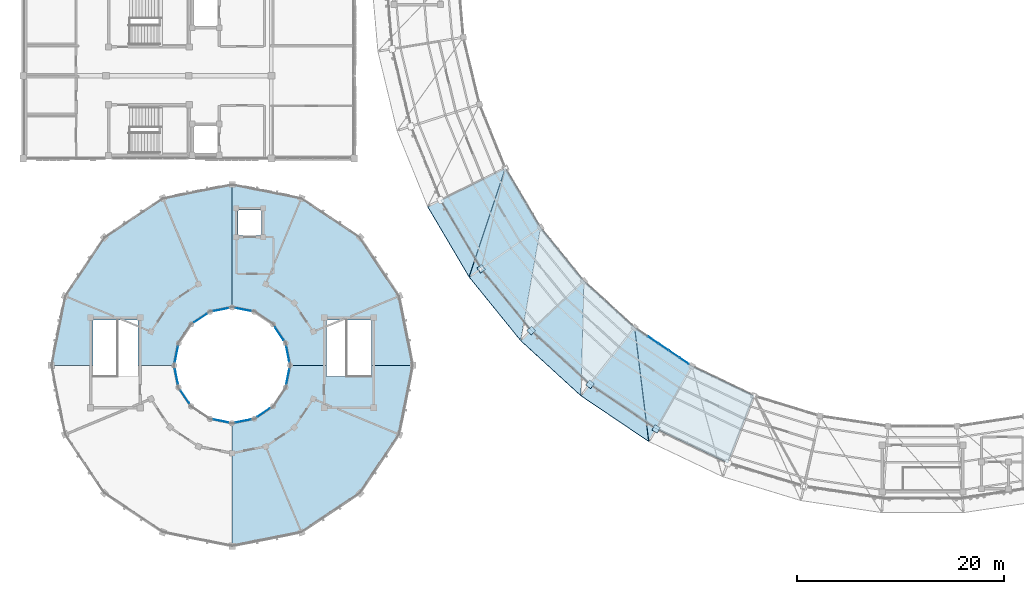
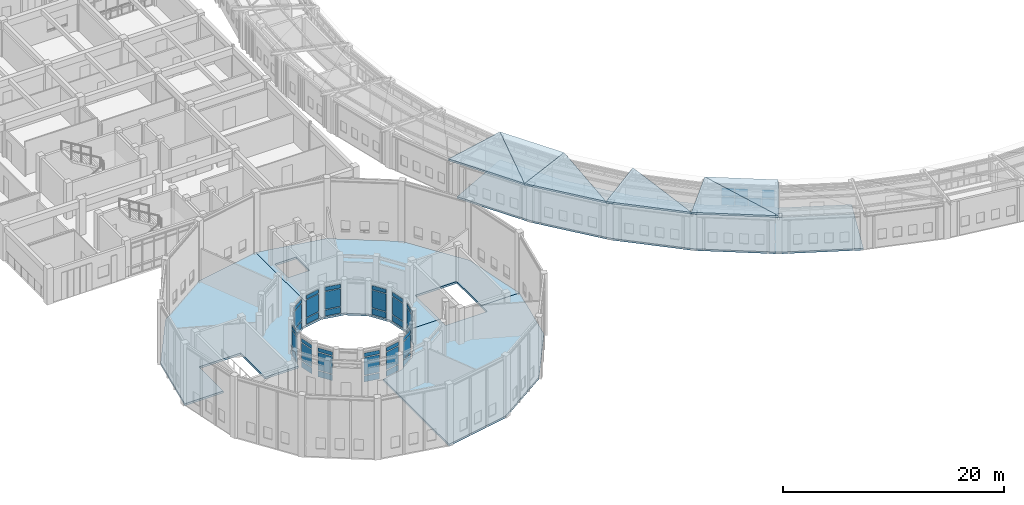
# One storey, part 100 of 149: 47 plates, 10 slabs, 13 elements without a shape of their own.
"""IFC4 building model written with IfcOpenShell, lengths in metres."""

import ifcopenshell
import ifcopenshell.guid

model = None  # the IFC model being written
_history = None  # IfcOwnerHistory: only IFC2X3 demands one
_inside = {}  # id of a spatial element -> (the spatial element, [elements in it])
_under = {}  # id of a project, library or spatial element -> (it, [spatial elements below it])
_declared = {}  # id of a project -> (the project, [libraries it declares])
_typed = {}  # id of a type object -> (the type object, [elements of that type])
_made_of = {}  # id of a material, layer set ... -> (it, [elements and type objects made of it])


def new_model(schema):
    """Start an empty IFC model of exactly this schema.

    Asked for "IFC4X3", IfcOpenShell would pick the latest addendum, in which some entities
    have other attributes; the version numbers below select the first issue.
    IFC2X3 requires an IfcOwnerHistory on every rooted entity: one is made here for all.
    """
    global model, _history
    if schema == "IFC4X3":
        model = ifcopenshell.file(schema_version=(4, 3, 0, 0))
    else:
        model = ifcopenshell.file(schema=schema)
    _inside.clear()
    _under.clear()
    _declared.clear()
    _typed.clear()
    _made_of.clear()
    _history = None
    if model.schema == "IFC2X3":
        org = make("IfcOrganization", Name="unknown")
        user = make(
            "IfcPersonAndOrganization",
            ThePerson=make("IfcPerson", FamilyName="unknown"),
            TheOrganization=org,
        )
        app = make(
            "IfcApplication",
            ApplicationDeveloper=org,
            Version="unknown",
            ApplicationFullName="unknown",
            ApplicationIdentifier="unknown",
        )
        _history = make(
            "IfcOwnerHistory",
            OwningUser=user,
            OwningApplication=app,
            ChangeAction="ADDED",
            CreationDate=0,
        )
    return model


def make(cls, **values):
    """One entity of the class cls with the attributes given. An attribute that is None is left unset."""
    return model.create_entity(
        cls, **{name: value for name, value in values.items() if value is not None}
    )


def rooted(cls, **values):
    """An entity with a GlobalId (a new one), such as an element, a storey or a relation."""
    return make(cls, GlobalId=ifcopenshell.guid.new(), OwnerHistory=_history, **values)


def si_unit(unit_type, name, prefix=None):
    """IfcSIUnit, for example si_unit("LENGTHUNIT", "METRE", prefix="MILLI")."""
    return make("IfcSIUnit", UnitType=unit_type, Prefix=prefix, Name=name)


def assignment(units):
    """IfcUnitAssignment: the units of a project."""
    return None if units is None else make("IfcUnitAssignment", Units=units)


def point(xyz):
    """IfcCartesianPoint."""
    return None if xyz is None else make("IfcCartesianPoint", Coordinates=xyz)


def direction(xyz):
    """IfcDirection."""
    return None if xyz is None else make("IfcDirection", DirectionRatios=xyz)


def frame(location, z_axis=None, x_axis=None):
    """IfcAxis2Placement3D, a coordinate frame: its origin and axes. An axis left out is left unset."""
    return make(
        "IfcAxis2Placement3D",
        Location=point(location),
        Axis=direction(z_axis),
        RefDirection=direction(x_axis),
    )


def frame_2d(location, x_axis=None):
    """IfcAxis2Placement2D, a coordinate frame in the plane: its origin and x axis."""
    return make(
        "IfcAxis2Placement2D", Location=point(location), RefDirection=direction(x_axis)
    )


def origin():
    """The frame at (0, 0, 0) with its axes left unset."""
    return frame((0.0, 0.0, 0.0))


def origin_2d():
    """The frame at (0, 0) in the plane with its x axis left unset."""
    return frame_2d((0.0, 0.0))


def place(relative_to, where):
    """IfcLocalPlacement: puts the frame where relative to a parent placement (None: the world)."""
    return make(
        "IfcLocalPlacement", PlacementRelTo=relative_to, RelativePlacement=where
    )


def context(
    kind, dimensions, precision=None, world=None, true_north=None, identifier=None
):
    """IfcGeometricRepresentationContext, for example the 3D "Model" context."""
    return make(
        "IfcGeometricRepresentationContext",
        ContextIdentifier=identifier,
        ContextType=kind,
        CoordinateSpaceDimension=dimensions,
        Precision=precision,
        WorldCoordinateSystem=world,
        TrueNorth=true_north,
    )


def subcontext(parent, identifier, kind, view, scale=None):
    """IfcGeometricRepresentationSubContext, for example "Body" below "Model"."""
    return make(
        "IfcGeometricRepresentationSubContext",
        ContextIdentifier=identifier,
        ContextType=kind,
        ParentContext=parent,
        TargetScale=scale,
        TargetView=view,
    )


def project(units=None, contexts=None):
    """IfcProject with its units and contexts."""
    return rooted(
        "IfcProject",
        Name="project",
        RepresentationContexts=contexts,
        UnitsInContext=assignment(units),
    )


def spatial(cls, under=None, at=None, **own):
    """A site, building, storey or space (cls), placed at a placement, below another one or the project."""
    s = rooted(cls, ObjectPlacement=at, **own)
    if under is not None:
        _under.setdefault(under.id(), (under, []))[1].append(s)
    return s


def polyline(points):
    """IfcPolyline through the points."""
    return make("IfcPolyline", Points=[point(p) for p in points])


def profile(cls, at=None, kind="AREA", **sizes):
    """A parametric profile (cls). Its sizes go by their IFC names, for example OverallWidth=200.0."""
    return make(cls, ProfileType=kind, Position=at, **sizes)


def rectangle(**sizes):
    """IfcRectangleProfileDef."""
    return profile("IfcRectangleProfileDef", **sizes)


def outline(outer, holes=None, kind="AREA"):
    """IfcArbitraryClosedProfileDef: a profile drawn as a closed curve; with holes, ...WithVoids."""
    if holes is None:
        return make("IfcArbitraryClosedProfileDef", ProfileType=kind, OuterCurve=outer)
    return make(
        "IfcArbitraryProfileDefWithVoids",
        ProfileType=kind,
        OuterCurve=outer,
        InnerCurves=holes,
    )


def extrude(swept, where, along, depth):
    """IfcExtrudedAreaSolid: the profile swept, set in the frame where, extruded along a direction by depth."""
    return make(
        "IfcExtrudedAreaSolid",
        SweptArea=swept,
        Position=where,
        ExtrudedDirection=direction(along),
        Depth=depth,
    )


def shape(context_of_items, identifier, shape_type, items):
    """IfcShapeRepresentation: the items that make up one representation, for example the "Body"."""
    return make(
        "IfcShapeRepresentation",
        ContextOfItems=context_of_items,
        RepresentationIdentifier=identifier,
        RepresentationType=shape_type,
        Items=items,
    )


def material(Name=None, Category=None):
    """IfcMaterial."""
    return make("IfcMaterial", Name=Name, Category=Category)


def layer(
    of_material, thickness, ventilated=None, Name=None, Category=None, Priority=None
):
    """IfcMaterialLayer: one layer of a wall or slab, of a material (None: an air gap)."""
    return make(
        "IfcMaterialLayer",
        Material=of_material,
        LayerThickness=thickness,
        IsVentilated=ventilated,
        Name=Name,
        Category=Category,
        Priority=Priority,
    )


def layer_set(layers, Name=None):
    """IfcMaterialLayerSet."""
    return make("IfcMaterialLayerSet", MaterialLayers=layers, LayerSetName=Name)


def made_of(thing, what):
    """Note that an element or type object is made of a material, layer set ...; save() writes the relation."""
    if what is not None:
        _made_of.setdefault(what.id(), (what, []))[1].append(thing)
    return thing


def type_object(cls, material=None, **own):
    """A type object (cls), such as IfcWallType, which elements share."""
    return made_of(rooted(cls, **own), material)


def element(
    cls,
    number,
    at=None,
    inside=None,
    cuts=None,
    type_object=None,
    material=None,
    context=None,
    identifier="Body",
    shape_type=None,
    held_by="IfcProductDefinitionShape",
    body=None,
    shapes=None,
    **own,
):
    """One element of the class cls, such as IfcWall. Its Tag is "e" and its number.

    at: its placement. inside: the storey or other place that contains it. cuts: it is an
    opening in that element (IfcRelVoidsElement). A single representation is given by context,
    identifier, shape_type and body (its items); several are given by shapes. held_by: the class
    of the entity that holds the representations. save() writes the other relations.
    """
    e = rooted(cls, Tag="e%d" % number, ObjectPlacement=at, **own)
    if body is not None:
        shapes = [shape(context, identifier, shape_type, body)]
    if shapes is not None:
        e.Representation = make(held_by, Representations=shapes)
    if inside is not None:
        _inside.setdefault(inside.id(), (inside, []))[1].append(e)
    if cuts is not None:
        rooted(
            "IfcRelVoidsElement", RelatingBuildingElement=cuts, RelatedOpeningElement=e
        )
    if type_object is not None:
        _typed.setdefault(type_object.id(), (type_object, []))[1].append(e)
    return made_of(e, material)


def aggregate(whole, parts):
    """IfcRelAggregates: a whole, such as a stair, and the parts it consists of."""
    return rooted("IfcRelAggregates", RelatingObject=whole, RelatedObjects=parts)


def save(model, path):
    """Write the relations noted so far, then the file.

    IfcRelAggregates (storeys below a building ...), IfcRelContainedInSpatialStructure (elements
    in a storey), IfcRelDefinesByType, IfcRelAssociatesMaterial and IfcRelDeclares: one each for
    every whole, place, type object, material and project.
    """
    for whole, parts in _under.values():
        aggregate(whole, parts)
    for where, things in _inside.values():
        rooted(
            "IfcRelContainedInSpatialStructure",
            RelatedElements=things,
            RelatingStructure=where,
        )
    for kind, things in _typed.values():
        rooted("IfcRelDefinesByType", RelatedObjects=things, RelatingType=kind)
    for what, things in _made_of.values():
        rooted("IfcRelAssociatesMaterial", RelatedObjects=things, RelatingMaterial=what)
    for by, libraries in _declared.values():
        rooted("IfcRelDeclares", RelatingContext=by, RelatedDefinitions=libraries)
    model.write(path)


model = new_model("IFC4")

# Units and contexts
model_context = context("Model", 3, precision=1e-05, world=origin(), true_north=direction((0.0, 1.0)))
body_context = subcontext(model_context, "Body", "Model", "MODEL_VIEW")
ifc_project = project(units=[si_unit("LENGTHUNIT", "METRE"), si_unit("AREAUNIT", "SQUARE_METRE"), si_unit("VOLUMEUNIT", "CUBIC_METRE"), si_unit("PLANEANGLEUNIT", "RADIAN"), si_unit("MASSUNIT", "GRAM", prefix="KILO")], contexts=[model_context])

# Site, building, storey
site_placement = place(None, origin())
site = spatial("IfcSite", under=ifc_project, at=site_placement, CompositionType="ELEMENT")
building_placement = place(site_placement, origin())
building = spatial("IfcBuilding", under=site, at=building_placement, Name="Celadon Cloister-Ring School", CompositionType="ELEMENT")
storey_placement = place(building_placement, frame((0.0, 0.0, 12.5)))
storey = spatial("IfcBuildingStorey", under=building, at=storey_placement, Name="L03", CompositionType="ELEMENT", Elevation=12.5)

# Curtain wall, plates
ifc_material_1 = material(Name="Aluminium EN AW-6063 T6", Category="aluminium")
curtain_wall_type_1 = type_object("IfcCurtainWallType", Name="CW-06", PredefinedType="USERDEFINED", material=ifc_material_1)
curtain_wall_1_placement = place(storey_placement, origin())
curtain_wall_1 = element("IfcCurtainWall", 1, at=curtain_wall_1_placement, inside=storey, type_object=curtain_wall_type_1, Name="Curtain Wall 0163", ObjectType="CURTAIN WALL", PredefinedType="USERDEFINED")
ifc_material_2 = material(Name="Tempered laminated insulating glass", Category="glass")
ifc_layer_1 = layer(ifc_material_2, 0.02001953125)
ifc_layer_set_1 = layer_set([ifc_layer_1], Name="Tempered laminated insulating glass")
plate_type_1 = type_object("IfcPlateType", Name="CPN-01", PredefinedType="CURTAIN_PANEL", material=ifc_layer_set_1)
plate_1_placement = place(storey_placement, frame((25.5869140625, 21.071533203125, 0.090087890625), z_axis=(0.0, 0.0, 1.0), x_axis=(-0.194586131301, 0.980885435464, 0.0)))
plate_1 = element("IfcPlate", 2, at=plate_1_placement, type_object=plate_type_1, Name="CW-06 panel 1.1", PredefinedType="CURTAIN_PANEL", context=body_context, shape_type="SweptSolid", body=[
    extrude(rectangle(XDim=1.4443359375, YDim=0.02001953125, at=origin_2d()), origin(), (0.0, 0.0, 1.0), 0.6650390625),
])
plate_2_placement = place(storey_placement, frame((25.5869140625, 21.071533203125, 0.844970703125), z_axis=(0.0, 0.0, 1.0), x_axis=(-0.194586131301, 0.980885435464, 0.0)))
plate_2 = element("IfcPlate", 3, at=plate_2_placement, type_object=plate_type_1, Name="CW-06 panel 1.2", PredefinedType="CURTAIN_PANEL", context=body_context, shape_type="SweptSolid", body=[
    extrude(rectangle(XDim=1.4443359375, YDim=0.02001953125, at=origin_2d()), origin(), (0.0, 0.0, 1.0), 1.93505859375),
])
plate_3_placement = place(storey_placement, frame((25.5869140625, 21.071533203125, 2.869873046875), z_axis=(0.0, 0.0, 1.0), x_axis=(-0.194586131301, 0.980885435464, 0.0)))
plate_3 = element("IfcPlate", 4, at=plate_3_placement, type_object=plate_type_1, Name="CW-06 panel 1.3", PredefinedType="CURTAIN_PANEL", context=body_context, shape_type="SweptSolid", body=[
    extrude(rectangle(XDim=1.4443359375, YDim=0.02001953125, at=origin_2d()), origin(), (0.0, 0.0, 1.0), 0.4150390625),
])
aggregate(curtain_wall_1, [plate_1, plate_2, plate_3])

curtain_wall_2_placement = place(storey_placement, origin())
curtain_wall_2 = element("IfcCurtainWall", 5, at=curtain_wall_2_placement, inside=storey, type_object=curtain_wall_type_1, Name="Curtain Wall 0164", ObjectType="CURTAIN WALL", PredefinedType="USERDEFINED")
plate_4_placement = place(storey_placement, frame((24.76708984375, 23.051513671875, 0.090087890625), z_axis=(0.0, 0.0, 1.0), x_axis=(-0.555547066224, 0.831485091394, 0.0)))
plate_4 = element("IfcPlate", 6, at=plate_4_placement, type_object=plate_type_1, Name="CW-06 panel 1.1", PredefinedType="CURTAIN_PANEL", context=body_context, shape_type="SweptSolid", body=[
    extrude(rectangle(XDim=1.4443359375, YDim=0.02001953125, at=origin_2d()), origin(), (0.0, 0.0, 1.0), 0.6650390625),
])
plate_5_placement = place(storey_placement, frame((24.76708984375, 23.051513671875, 0.844970703125), z_axis=(0.0, 0.0, 1.0), x_axis=(-0.555547066224, 0.831485091394, 0.0)))
plate_5 = element("IfcPlate", 7, at=plate_5_placement, type_object=plate_type_1, Name="CW-06 panel 1.2", PredefinedType="CURTAIN_PANEL", context=body_context, shape_type="SweptSolid", body=[
    extrude(rectangle(XDim=1.4443359375, YDim=0.02001953125, at=origin_2d()), origin(), (0.0, 0.0, 1.0), 1.93505859375),
])
plate_6_placement = place(storey_placement, frame((24.76708984375, 23.051513671875, 2.869873046875), z_axis=(0.0, 0.0, 1.0), x_axis=(-0.555547066224, 0.831485091394, 0.0)))
plate_6 = element("IfcPlate", 8, at=plate_6_placement, type_object=plate_type_1, Name="CW-06 panel 1.3", PredefinedType="CURTAIN_PANEL", context=body_context, shape_type="SweptSolid", body=[
    extrude(rectangle(XDim=1.4443359375, YDim=0.02001953125, at=origin_2d()), origin(), (0.0, 0.0, 1.0), 0.4150390625),
])
aggregate(curtain_wall_2, [plate_4, plate_5, plate_6])

curtain_wall_3_placement = place(storey_placement, origin())
curtain_wall_3 = element("IfcCurtainWall", 9, at=curtain_wall_3_placement, inside=storey, type_object=curtain_wall_type_1, Name="Curtain Wall 0165", ObjectType="CURTAIN WALL", PredefinedType="USERDEFINED")
plate_7_placement = place(storey_placement, frame((21.271484375, 25.386962890625, 0.090087890625), z_axis=(0.0, 0.0, 1.0), x_axis=(-0.980885435464, 0.194586131301, 0.0)))
plate_7 = element("IfcPlate", 10, at=plate_7_placement, type_object=plate_type_1, Name="CW-06 panel 1.1", PredefinedType="CURTAIN_PANEL", context=body_context, shape_type="SweptSolid", body=[
    extrude(rectangle(XDim=1.4443359375, YDim=0.02001953125, at=origin_2d()), origin(), (0.0, 0.0, 1.0), 0.6650390625),
])
plate_8_placement = place(storey_placement, frame((21.271484375, 25.386962890625, 0.844970703125), z_axis=(0.0, 0.0, 1.0), x_axis=(-0.980885435464, 0.194586131301, 0.0)))
plate_8 = element("IfcPlate", 11, at=plate_8_placement, type_object=plate_type_1, Name="CW-06 panel 1.2", PredefinedType="CURTAIN_PANEL", context=body_context, shape_type="SweptSolid", body=[
    extrude(rectangle(XDim=1.4443359375, YDim=0.02001953125, at=origin_2d()), origin(), (0.0, 0.0, 1.0), 1.93505859375),
])
plate_9_placement = place(storey_placement, frame((21.271484375, 25.386962890625, 2.869873046875), z_axis=(0.0, 0.0, 1.0), x_axis=(-0.980885435464, 0.194586131301, 0.0)))
plate_9 = element("IfcPlate", 12, at=plate_9_placement, type_object=plate_type_1, Name="CW-06 panel 1.3", PredefinedType="CURTAIN_PANEL", context=body_context, shape_type="SweptSolid", body=[
    extrude(rectangle(XDim=1.4443359375, YDim=0.02001953125, at=origin_2d()), origin(), (0.0, 0.0, 1.0), 0.4150390625),
])
aggregate(curtain_wall_3, [plate_7, plate_8, plate_9])

curtain_wall_4_placement = place(storey_placement, origin())
curtain_wall_4 = element("IfcCurtainWall", 13, at=curtain_wall_4_placement, inside=storey, type_object=curtain_wall_type_1, Name="Curtain Wall 0166", ObjectType="CURTAIN WALL", PredefinedType="USERDEFINED")
plate_10_placement = place(storey_placement, frame((19.12841796875, 25.386962890625, 0.090087890625), z_axis=(0.0, 0.0, 1.0), x_axis=(-0.980885435464, -0.194586131301, 0.0)))
plate_10 = element("IfcPlate", 14, at=plate_10_placement, type_object=plate_type_1, Name="CW-06 panel 1.1", PredefinedType="CURTAIN_PANEL", context=body_context, shape_type="SweptSolid", body=[
    extrude(rectangle(XDim=1.4443359375, YDim=0.02001953125, at=origin_2d()), origin(), (0.0, 0.0, 1.0), 0.6650390625),
])
plate_11_placement = place(storey_placement, frame((19.12841796875, 25.386962890625, 0.844970703125), z_axis=(0.0, 0.0, 1.0), x_axis=(-0.980885435464, -0.194586131301, 0.0)))
plate_11 = element("IfcPlate", 15, at=plate_11_placement, type_object=plate_type_1, Name="CW-06 panel 1.2", PredefinedType="CURTAIN_PANEL", context=body_context, shape_type="SweptSolid", body=[
    extrude(rectangle(XDim=1.4443359375, YDim=0.02001953125, at=origin_2d()), origin(), (0.0, 0.0, 1.0), 1.93505859375),
])
plate_12_placement = place(storey_placement, frame((19.12841796875, 25.386962890625, 2.869873046875), z_axis=(0.0, 0.0, 1.0), x_axis=(-0.980885435464, -0.194586131301, 0.0)))
plate_12 = element("IfcPlate", 16, at=plate_12_placement, type_object=plate_type_1, Name="CW-06 panel 1.3", PredefinedType="CURTAIN_PANEL", context=body_context, shape_type="SweptSolid", body=[
    extrude(rectangle(XDim=1.4443359375, YDim=0.02001953125, at=origin_2d()), origin(), (0.0, 0.0, 1.0), 0.4150390625),
])
aggregate(curtain_wall_4, [plate_10, plate_11, plate_12])

curtain_wall_5_placement = place(storey_placement, origin())
curtain_wall_5 = element("IfcCurtainWall", 17, at=curtain_wall_5_placement, inside=storey, type_object=curtain_wall_type_1, Name="Curtain Wall 0167", ObjectType="CURTAIN WALL", PredefinedType="USERDEFINED")
plate_13_placement = place(storey_placement, frame((17.1484375, 24.56689453125, 0.090087890625), z_axis=(0.0, 0.0, 1.0), x_axis=(-0.831485091394, -0.555547066224, 0.0)))
plate_13 = element("IfcPlate", 18, at=plate_13_placement, type_object=plate_type_1, Name="CW-06 panel 1.1", PredefinedType="CURTAIN_PANEL", context=body_context, shape_type="SweptSolid", body=[
    extrude(rectangle(XDim=1.4443359375, YDim=0.02001953125, at=origin_2d()), origin(), (0.0, 0.0, 1.0), 0.6650390625),
])
plate_14_placement = place(storey_placement, frame((17.1484375, 24.56689453125, 0.844970703125), z_axis=(0.0, 0.0, 1.0), x_axis=(-0.831485091394, -0.555547066224, 0.0)))
plate_14 = element("IfcPlate", 19, at=plate_14_placement, type_object=plate_type_1, Name="CW-06 panel 1.2", PredefinedType="CURTAIN_PANEL", context=body_context, shape_type="SweptSolid", body=[
    extrude(rectangle(XDim=1.4443359375, YDim=0.02001953125, at=origin_2d()), origin(), (0.0, 0.0, 1.0), 1.93505859375),
])
plate_15_placement = place(storey_placement, frame((17.1484375, 24.56689453125, 2.869873046875), z_axis=(0.0, 0.0, 1.0), x_axis=(-0.831485091394, -0.555547066224, 0.0)))
plate_15 = element("IfcPlate", 20, at=plate_15_placement, type_object=plate_type_1, Name="CW-06 panel 1.3", PredefinedType="CURTAIN_PANEL", context=body_context, shape_type="SweptSolid", body=[
    extrude(rectangle(XDim=1.4443359375, YDim=0.02001953125, at=origin_2d()), origin(), (0.0, 0.0, 1.0), 0.4150390625),
])
aggregate(curtain_wall_5, [plate_13, plate_14, plate_15])

curtain_wall_6_placement = place(storey_placement, origin())
curtain_wall_6 = element("IfcCurtainWall", 21, at=curtain_wall_6_placement, inside=storey, type_object=curtain_wall_type_1, Name="Curtain Wall 0168", ObjectType="CURTAIN WALL", PredefinedType="USERDEFINED")
plate_16_placement = place(storey_placement, frame((14.81298828125, 21.071533203125, 0.090087890625), z_axis=(0.0, 0.0, 1.0), x_axis=(-0.194586131301, -0.980885435464, 0.0)))
plate_16 = element("IfcPlate", 22, at=plate_16_placement, type_object=plate_type_1, Name="CW-06 panel 1.1", PredefinedType="CURTAIN_PANEL", context=body_context, shape_type="SweptSolid", body=[
    extrude(rectangle(XDim=1.4443359375, YDim=0.02001953125, at=origin_2d()), origin(), (0.0, 0.0, 1.0), 0.6650390625),
])
plate_17_placement = place(storey_placement, frame((14.81298828125, 21.071533203125, 0.844970703125), z_axis=(0.0, 0.0, 1.0), x_axis=(-0.194586131301, -0.980885435464, 0.0)))
plate_17 = element("IfcPlate", 23, at=plate_17_placement, type_object=plate_type_1, Name="CW-06 panel 1.2", PredefinedType="CURTAIN_PANEL", context=body_context, shape_type="SweptSolid", body=[
    extrude(rectangle(XDim=1.4443359375, YDim=0.02001953125, at=origin_2d()), origin(), (0.0, 0.0, 1.0), 1.93505859375),
])
plate_18_placement = place(storey_placement, frame((14.81298828125, 21.071533203125, 2.869873046875), z_axis=(0.0, 0.0, 1.0), x_axis=(-0.194586131301, -0.980885435464, 0.0)))
plate_18 = element("IfcPlate", 24, at=plate_18_placement, type_object=plate_type_1, Name="CW-06 panel 1.3", PredefinedType="CURTAIN_PANEL", context=body_context, shape_type="SweptSolid", body=[
    extrude(rectangle(XDim=1.4443359375, YDim=0.02001953125, at=origin_2d()), origin(), (0.0, 0.0, 1.0), 0.4150390625),
])
aggregate(curtain_wall_6, [plate_16, plate_17, plate_18])

curtain_wall_7_placement = place(storey_placement, origin())
curtain_wall_7 = element("IfcCurtainWall", 25, at=curtain_wall_7_placement, inside=storey, type_object=curtain_wall_type_1, Name="Curtain Wall 0169", ObjectType="CURTAIN WALL", PredefinedType="USERDEFINED")
plate_19_placement = place(storey_placement, frame((14.81298828125, 18.928466796875, 0.090087890625), z_axis=(0.0, 0.0, 1.0), x_axis=(0.194586131301, -0.980885435464, 0.0)))
plate_19 = element("IfcPlate", 26, at=plate_19_placement, type_object=plate_type_1, Name="CW-06 panel 1.1", PredefinedType="CURTAIN_PANEL", context=body_context, shape_type="SweptSolid", body=[
    extrude(rectangle(XDim=1.4443359375, YDim=0.02001953125, at=origin_2d()), origin(), (0.0, 0.0, 1.0), 0.6650390625),
])
plate_20_placement = place(storey_placement, frame((14.81298828125, 18.928466796875, 0.844970703125), z_axis=(0.0, 0.0, 1.0), x_axis=(0.194586131301, -0.980885435464, 0.0)))
plate_20 = element("IfcPlate", 27, at=plate_20_placement, type_object=plate_type_1, Name="CW-06 panel 1.2", PredefinedType="CURTAIN_PANEL", context=body_context, shape_type="SweptSolid", body=[
    extrude(rectangle(XDim=1.4443359375, YDim=0.02001953125, at=origin_2d()), origin(), (0.0, 0.0, 1.0), 1.93505859375),
])
plate_21_placement = place(storey_placement, frame((14.81298828125, 18.928466796875, 2.869873046875), z_axis=(0.0, 0.0, 1.0), x_axis=(0.194586131301, -0.980885435464, 0.0)))
plate_21 = element("IfcPlate", 28, at=plate_21_placement, type_object=plate_type_1, Name="CW-06 panel 1.3", PredefinedType="CURTAIN_PANEL", context=body_context, shape_type="SweptSolid", body=[
    extrude(rectangle(XDim=1.4443359375, YDim=0.02001953125, at=origin_2d()), origin(), (0.0, 0.0, 1.0), 0.4150390625),
])
aggregate(curtain_wall_7, [plate_19, plate_20, plate_21])

curtain_wall_8_placement = place(storey_placement, origin())
curtain_wall_8 = element("IfcCurtainWall", 29, at=curtain_wall_8_placement, inside=storey, type_object=curtain_wall_type_1, Name="Curtain Wall 0170", ObjectType="CURTAIN WALL", PredefinedType="USERDEFINED")
plate_22_placement = place(storey_placement, frame((15.633056640625, 16.948486328125, 0.090087890625), z_axis=(0.0, 0.0, 1.0), x_axis=(0.555547066224, -0.831485091394, 0.0)))
plate_22 = element("IfcPlate", 30, at=plate_22_placement, type_object=plate_type_1, Name="CW-06 panel 1.1", PredefinedType="CURTAIN_PANEL", context=body_context, shape_type="SweptSolid", body=[
    extrude(rectangle(XDim=1.4443359375, YDim=0.02001953125, at=origin_2d()), origin(), (0.0, 0.0, 1.0), 0.6650390625),
])
plate_23_placement = place(storey_placement, frame((15.633056640625, 16.948486328125, 0.844970703125), z_axis=(0.0, 0.0, 1.0), x_axis=(0.555547066224, -0.831485091394, 0.0)))
plate_23 = element("IfcPlate", 31, at=plate_23_placement, type_object=plate_type_1, Name="CW-06 panel 1.2", PredefinedType="CURTAIN_PANEL", context=body_context, shape_type="SweptSolid", body=[
    extrude(rectangle(XDim=1.4443359375, YDim=0.02001953125, at=origin_2d()), origin(), (0.0, 0.0, 1.0), 1.93505859375),
])
plate_24_placement = place(storey_placement, frame((15.633056640625, 16.948486328125, 2.869873046875), z_axis=(0.0, 0.0, 1.0), x_axis=(0.555547066224, -0.831485091394, 0.0)))
plate_24 = element("IfcPlate", 32, at=plate_24_placement, type_object=plate_type_1, Name="CW-06 panel 1.3", PredefinedType="CURTAIN_PANEL", context=body_context, shape_type="SweptSolid", body=[
    extrude(rectangle(XDim=1.4443359375, YDim=0.02001953125, at=origin_2d()), origin(), (0.0, 0.0, 1.0), 0.4150390625),
])
aggregate(curtain_wall_8, [plate_22, plate_23, plate_24])

curtain_wall_9_placement = place(storey_placement, origin())
curtain_wall_9 = element("IfcCurtainWall", 33, at=curtain_wall_9_placement, inside=storey, type_object=curtain_wall_type_1, Name="Curtain Wall 0171", ObjectType="CURTAIN WALL", PredefinedType="USERDEFINED")
plate_25_placement = place(storey_placement, frame((19.12841796875, 14.613037109375, 0.090087890625), z_axis=(0.0, 0.0, 1.0), x_axis=(0.980885435464, -0.194586131301, 0.0)))
plate_25 = element("IfcPlate", 34, at=plate_25_placement, type_object=plate_type_1, Name="CW-06 panel 1.1", PredefinedType="CURTAIN_PANEL", context=body_context, shape_type="SweptSolid", body=[
    extrude(rectangle(XDim=1.4443359375, YDim=0.02001953125, at=origin_2d()), origin(), (0.0, 0.0, 1.0), 0.6650390625),
])
plate_26_placement = place(storey_placement, frame((19.12841796875, 14.613037109375, 0.844970703125), z_axis=(0.0, 0.0, 1.0), x_axis=(0.980885435464, -0.194586131301, 0.0)))
plate_26 = element("IfcPlate", 35, at=plate_26_placement, type_object=plate_type_1, Name="CW-06 panel 1.2", PredefinedType="CURTAIN_PANEL", context=body_context, shape_type="SweptSolid", body=[
    extrude(rectangle(XDim=1.4443359375, YDim=0.02001953125, at=origin_2d()), origin(), (0.0, 0.0, 1.0), 1.93505859375),
])
plate_27_placement = place(storey_placement, frame((19.12841796875, 14.613037109375, 2.869873046875), z_axis=(0.0, 0.0, 1.0), x_axis=(0.980885435464, -0.194586131301, 0.0)))
plate_27 = element("IfcPlate", 36, at=plate_27_placement, type_object=plate_type_1, Name="CW-06 panel 1.3", PredefinedType="CURTAIN_PANEL", context=body_context, shape_type="SweptSolid", body=[
    extrude(rectangle(XDim=1.4443359375, YDim=0.02001953125, at=origin_2d()), origin(), (0.0, 0.0, 1.0), 0.4150390625),
])
aggregate(curtain_wall_9, [plate_25, plate_26, plate_27])

curtain_wall_10_placement = place(storey_placement, origin())
curtain_wall_10 = element("IfcCurtainWall", 37, at=curtain_wall_10_placement, inside=storey, type_object=curtain_wall_type_1, Name="Curtain Wall 0172", ObjectType="CURTAIN WALL", PredefinedType="USERDEFINED")
plate_28_placement = place(storey_placement, frame((21.271484375, 14.613037109375, 0.090087890625), z_axis=(0.0, 0.0, 1.0), x_axis=(0.980885435464, 0.194586131301, 0.0)))
plate_28 = element("IfcPlate", 38, at=plate_28_placement, type_object=plate_type_1, Name="CW-06 panel 1.1", PredefinedType="CURTAIN_PANEL", context=body_context, shape_type="SweptSolid", body=[
    extrude(rectangle(XDim=1.4443359375, YDim=0.02001953125, at=origin_2d()), origin(), (0.0, 0.0, 1.0), 0.6650390625),
])
plate_29_placement = place(storey_placement, frame((21.271484375, 14.613037109375, 0.844970703125), z_axis=(0.0, 0.0, 1.0), x_axis=(0.980885435464, 0.194586131301, 0.0)))
plate_29 = element("IfcPlate", 39, at=plate_29_placement, type_object=plate_type_1, Name="CW-06 panel 1.2", PredefinedType="CURTAIN_PANEL", context=body_context, shape_type="SweptSolid", body=[
    extrude(rectangle(XDim=1.4443359375, YDim=0.02001953125, at=origin_2d()), origin(), (0.0, 0.0, 1.0), 1.93505859375),
])
plate_30_placement = place(storey_placement, frame((21.271484375, 14.613037109375, 2.869873046875), z_axis=(0.0, 0.0, 1.0), x_axis=(0.980885435464, 0.194586131301, 0.0)))
plate_30 = element("IfcPlate", 40, at=plate_30_placement, type_object=plate_type_1, Name="CW-06 panel 1.3", PredefinedType="CURTAIN_PANEL", context=body_context, shape_type="SweptSolid", body=[
    extrude(rectangle(XDim=1.4443359375, YDim=0.02001953125, at=origin_2d()), origin(), (0.0, 0.0, 1.0), 0.4150390625),
])
aggregate(curtain_wall_10, [plate_28, plate_29, plate_30])

curtain_wall_11_placement = place(storey_placement, origin())
curtain_wall_11 = element("IfcCurtainWall", 41, at=curtain_wall_11_placement, inside=storey, type_object=curtain_wall_type_1, Name="Curtain Wall 0173", ObjectType="CURTAIN WALL", PredefinedType="USERDEFINED")
plate_31_placement = place(storey_placement, frame((23.25146484375, 15.43310546875, 0.090087890625), z_axis=(0.0, 0.0, 1.0), x_axis=(0.831485091394, 0.555547066224, 0.0)))
plate_31 = element("IfcPlate", 42, at=plate_31_placement, type_object=plate_type_1, Name="CW-06 panel 1.1", PredefinedType="CURTAIN_PANEL", context=body_context, shape_type="SweptSolid", body=[
    extrude(rectangle(XDim=1.4443359375, YDim=0.02001953125, at=origin_2d()), origin(), (0.0, 0.0, 1.0), 0.6650390625),
])
plate_32_placement = place(storey_placement, frame((23.25146484375, 15.43310546875, 0.844970703125), z_axis=(0.0, 0.0, 1.0), x_axis=(0.831485091394, 0.555547066224, 0.0)))
plate_32 = element("IfcPlate", 43, at=plate_32_placement, type_object=plate_type_1, Name="CW-06 panel 1.2", PredefinedType="CURTAIN_PANEL", context=body_context, shape_type="SweptSolid", body=[
    extrude(rectangle(XDim=1.4443359375, YDim=0.02001953125, at=origin_2d()), origin(), (0.0, 0.0, 1.0), 1.93505859375),
])
plate_33_placement = place(storey_placement, frame((23.25146484375, 15.43310546875, 2.869873046875), z_axis=(0.0, 0.0, 1.0), x_axis=(0.831485091394, 0.555547066224, 0.0)))
plate_33 = element("IfcPlate", 44, at=plate_33_placement, type_object=plate_type_1, Name="CW-06 panel 1.3", PredefinedType="CURTAIN_PANEL", context=body_context, shape_type="SweptSolid", body=[
    extrude(rectangle(XDim=1.4443359375, YDim=0.02001953125, at=origin_2d()), origin(), (0.0, 0.0, 1.0), 0.4150390625),
])
aggregate(curtain_wall_11, [plate_31, plate_32, plate_33])

curtain_wall_12_placement = place(storey_placement, origin())
curtain_wall_12 = element("IfcCurtainWall", 45, at=curtain_wall_12_placement, inside=storey, type_object=curtain_wall_type_1, Name="Curtain Wall 0174", ObjectType="CURTAIN WALL", PredefinedType="USERDEFINED")
plate_34_placement = place(storey_placement, frame((25.5869140625, 18.928466796875, 0.090087890625), z_axis=(0.0, 0.0, 1.0), x_axis=(0.194586131301, 0.980885435464, 0.0)))
plate_34 = element("IfcPlate", 46, at=plate_34_placement, type_object=plate_type_1, Name="CW-06 panel 1.1", PredefinedType="CURTAIN_PANEL", context=body_context, shape_type="SweptSolid", body=[
    extrude(rectangle(XDim=1.4443359375, YDim=0.02001953125, at=origin_2d()), origin(), (0.0, 0.0, 1.0), 0.6650390625),
])
plate_35_placement = place(storey_placement, frame((25.5869140625, 18.928466796875, 0.844970703125), z_axis=(0.0, 0.0, 1.0), x_axis=(0.194586131301, 0.980885435464, 0.0)))
plate_35 = element("IfcPlate", 47, at=plate_35_placement, type_object=plate_type_1, Name="CW-06 panel 1.2", PredefinedType="CURTAIN_PANEL", context=body_context, shape_type="SweptSolid", body=[
    extrude(rectangle(XDim=1.4443359375, YDim=0.02001953125, at=origin_2d()), origin(), (0.0, 0.0, 1.0), 1.93505859375),
])
plate_36_placement = place(storey_placement, frame((25.5869140625, 18.928466796875, 2.869873046875), z_axis=(0.0, 0.0, 1.0), x_axis=(0.194586131301, 0.980885435464, 0.0)))
plate_36 = element("IfcPlate", 48, at=plate_36_placement, type_object=plate_type_1, Name="CW-06 panel 1.3", PredefinedType="CURTAIN_PANEL", context=body_context, shape_type="SweptSolid", body=[
    extrude(rectangle(XDim=1.4443359375, YDim=0.02001953125, at=origin_2d()), origin(), (0.0, 0.0, 1.0), 0.4150390625),
])
aggregate(curtain_wall_12, [plate_34, plate_35, plate_36])

ifc_material_3 = material(Name="Aluminium EN AW-6063 T6", Category="aluminium")
curtain_wall_type_2 = type_object("IfcCurtainWallType", Name="CW-02", PredefinedType="USERDEFINED", material=ifc_material_3)
curtain_wall_13_placement = place(storey_placement, origin())
curtain_wall_13 = element("IfcCurtainWall", 49, at=curtain_wall_13_placement, inside=storey, type_object=curtain_wall_type_2, Name="Curtain Wall 0057", ObjectType="CURTAIN WALL", PredefinedType="USERDEFINED")
ifc_material_4 = material(Name="Tempered laminated insulating glass", Category="glass")
ifc_layer_2 = layer(ifc_material_4, 0.035888671875)
ifc_layer_set_2 = layer_set([ifc_layer_2], Name="Tempered laminated insulating glass")
plate_type_2 = type_object("IfcPlateType", Name="CPN-03", PredefinedType="CURTAIN_PANEL", material=ifc_layer_set_2)
plate_37_placement = place(storey_placement, frame((60.90283203125, 22.4716796875, 0.074951171875), z_axis=(0.0, 0.0, 1.0), x_axis=(0.829269725916, -0.558848567753, 0.0)))
plate_37 = element("IfcPlate", 50, at=plate_37_placement, type_object=plate_type_2, Name="CW-02 panel 2.1", PredefinedType="CURTAIN_PANEL", context=body_context, shape_type="SweptSolid", body=[
    extrude(rectangle(XDim=1.141845703125, YDim=0.035888671875, at=origin_2d()), origin(), (0.0, 0.0, 1.0), 0.8974609375),
])
plate_38_placement = place(storey_placement, frame((60.90283203125, 22.4716796875, 1.047607421875), z_axis=(0.0, 0.0, 1.0), x_axis=(0.829269725916, -0.558848567753, 0.0)))
plate_38 = element("IfcPlate", 51, at=plate_38_placement, type_object=plate_type_2, Name="CW-02 panel 2.2", PredefinedType="CURTAIN_PANEL", context=body_context, shape_type="SweptSolid", body=[
    extrude(rectangle(XDim=1.141845703125, YDim=0.035888671875, at=origin_2d()), origin(), (0.0, 0.0, 1.0), 0.8974609375),
])
plate_39_placement = place(storey_placement, frame((61.916015625, 21.7890625, 0.074951171875), z_axis=(0.0, 0.0, 1.0), x_axis=(0.829269725916, -0.558848567753, 0.0)))
plate_39 = element("IfcPlate", 52, at=plate_39_placement, type_object=plate_type_2, Name="CW-02 panel 3.1", PredefinedType="CURTAIN_PANEL", context=body_context, shape_type="SweptSolid", body=[
    extrude(rectangle(XDim=1.141845703125, YDim=0.035888671875, at=origin_2d()), origin(), (0.0, 0.0, 1.0), 0.8974609375),
])
plate_40_placement = place(storey_placement, frame((61.916015625, 21.7890625, 1.047607421875), z_axis=(0.0, 0.0, 1.0), x_axis=(0.829269725916, -0.558848567753, 0.0)))
plate_40 = element("IfcPlate", 53, at=plate_40_placement, type_object=plate_type_2, Name="CW-02 panel 3.2", PredefinedType="CURTAIN_PANEL", context=body_context, shape_type="SweptSolid", body=[
    extrude(rectangle(XDim=1.141845703125, YDim=0.035888671875, at=origin_2d()), origin(), (0.0, 0.0, 1.0), 0.8974609375),
])
plate_41_placement = place(storey_placement, frame((62.92919921875, 21.106201171875, 0.074951171875), z_axis=(0.0, 0.0, 1.0), x_axis=(0.829269725916, -0.558848567753, 0.0)))
plate_41 = element("IfcPlate", 54, at=plate_41_placement, type_object=plate_type_2, Name="CW-02 panel 4.1", PredefinedType="CURTAIN_PANEL", context=body_context, shape_type="SweptSolid", body=[
    extrude(rectangle(XDim=1.141845703125, YDim=0.035888671875, at=origin_2d()), origin(), (0.0, 0.0, 1.0), 0.8974609375),
])
plate_42_placement = place(storey_placement, frame((63.92578125, 20.4345703125, 0.074951171875), z_axis=(0.0, 0.0, 1.0), x_axis=(0.829269725916, -0.558848567753, 0.0)))
plate_42 = element("IfcPlate", 55, at=plate_42_placement, type_object=plate_type_2, Name="CW-02 panel 5.1", PredefinedType="CURTAIN_PANEL", context=body_context, shape_type="SweptSolid", body=[
    extrude(rectangle(XDim=1.101806640625, YDim=0.035888671875, at=origin_2d()), origin(), (0.0, 0.0, 1.0), 0.8974609375),
])
plate_43_placement = place(storey_placement, frame((63.92578125, 20.4345703125, 1.047607421875), z_axis=(0.0, 0.0, 1.0), x_axis=(0.829269725916, -0.558848567753, 0.0)))
plate_43 = element("IfcPlate", 56, at=plate_43_placement, type_object=plate_type_2, Name="CW-02 panel 5.2", PredefinedType="CURTAIN_PANEL", context=body_context, shape_type="SweptSolid", body=[
    extrude(rectangle(XDim=1.101806640625, YDim=0.035888671875, at=origin_2d()), origin(), (0.0, 0.0, 1.0), 0.8974609375),
])
aggregate(curtain_wall_13, [plate_37, plate_38, plate_39, plate_40, plate_41, plate_42, plate_43])

# Plates
ifc_material_5 = material(Name="Structural steel S355JR", Category="steel")
ifc_layer_3 = layer(ifc_material_5, 0.02001953125)
ifc_layer_set_3 = layer_set([ifc_layer_3], Name="Structural steel S355JR")
plate_type_3 = type_object("IfcPlateType", Name="PT-01", PredefinedType="SHEET", material=ifc_layer_set_3)
for number, where, z_axis, x_axis, name in (
    (57, (44.2880859375, 29.341064453125, 4.041015625), (0.0, 0.0, 1.0), (-0.821388197028, -0.57036955545, 0.0), "Gusset Plate 0016"),
    (58, (49.137939453125, 23.35595703125, 4.041015625), (0.0, 0.0, 1.0), (-0.728107824814, -0.685462614185, 0.0), "Gusset Plate 0017"),
    (59, (54.820068359375, 18.153076171875, 4.041015625), (0.0, 0.0, 1.0), (-0.618847204173, -0.785511386224, 0.0), "Gusset Plate 0018"),
    (60, (61.2080078125, 13.846923828125, 4.041015625), (0.0, 0.0, 1.0), (-0.496004347874, -0.868320037135, 0.0), "Gusset Plate 0019"),
):
    element("IfcPlate", number, at=place(storey_placement, frame(where, z_axis=z_axis, x_axis=x_axis)), inside=storey, type_object=plate_type_3, Name=name, PredefinedType="SHEET", context=body_context, shape_type="SweptSolid", body=[
        extrude(rectangle(XDim=0.60009765625, YDim=0.60009765625, at=origin_2d()), origin(), (0.0, 0.0, 1.0), 0.02001953125),
    ])

# Slabs
ifc_material_6 = material(Name="Concrete C35/45", Category="concrete")
ifc_layer_4 = layer(ifc_material_6, 0.199951171875)
ifc_layer_set_4 = layer_set([ifc_layer_4], Name="Concrete C35/45")
slab_type_1 = type_object("IfcSlabType", Name="SL-FL1", PredefinedType="FLOOR", material=ifc_layer_set_4)
slab_1_placement = place(storey_placement, frame((0.0, 0.0, -0.199951171875)))
element("IfcSlab", 61, at=slab_1_placement, inside=storey, type_object=slab_type_1, Name="Ring L03 Sector 0024", PredefinedType="FLOOR", context=body_context, shape_type="SweptSolid", body=[
    extrude(outline(polyline([(46.65087890625, 39.075927734375), (50.0380859375, 33.3330078125), (54.235107421875, 28.154052734375), (59.152099609375, 23.652099609375), (64.679931640625, 19.926025390625), (70.697998046875, 17.056884765625), (68.162109375, 10.531982421875), (61.2080078125, 13.846923828125), (54.820068359375, 18.153076171875), (49.137939453125, 23.35595703125), (44.2880859375, 29.341064453125), (40.375, 35.97705078125), (46.65087890625, 39.075927734375)])), origin(), (0.0, 0.0, 1.0), 0.199951171875),
])
ifc_material_7 = material(Name="Concrete C35/45", Category="concrete")
ifc_layer_5 = layer(ifc_material_7, 0.219970703125)
ifc_layer_set_5 = layer_set([ifc_layer_5], Name="Concrete C35/45")
slab_type_2 = type_object("IfcSlabType", Name="SL-FL2", PredefinedType="FLOOR", material=ifc_layer_set_5)
slab_2_placement = place(storey_placement, frame((0.0, 0.0, -0.219970703125)))
element("IfcSlab", 62, at=slab_2_placement, inside=storey, type_object=slab_type_2, Name="V5a Ring L03 Sector 0057", PredefinedType="FLOOR", context=body_context, shape_type="SweptSolid", body=[
    extrude(outline(polyline([(25.800048828125, 20.0), (25.3740234375, 22.14306640625), (24.159912109375, 23.9599609375), (22.343017578125, 25.174072265625), (20.199951171875, 25.60009765625), (20.199951171875, 37.5), (26.89697265625, 36.16796875), (32.573974609375, 32.3740234375), (36.367919921875, 26.697021484375), (37.699951171875, 20.0), (33.679931640625, 20.0), (33.679931640625, 24.39990234375), (29.320068359375, 24.39990234375), (29.320068359375, 20.0), (25.800048828125, 20.0)]), holes=[polyline([(23.02001953125, 32.580078125), (23.02001953125, 35.02001953125), (20.780029296875, 35.02001953125), (20.780029296875, 32.580078125), (23.02001953125, 32.580078125)])]), origin(), (0.0, 0.0, 1.0), 0.219970703125),
])
slab_3_placement = place(storey_placement, frame((0.0, 0.0, -0.219970703125)))
element("IfcSlab", 63, at=slab_3_placement, inside=storey, type_object=slab_type_2, Name="V5a Ring L03 Sector 0058", PredefinedType="FLOOR", context=body_context, shape_type="SweptSolid", body=[
    extrude(outline(polyline([(2.699951171875, 20.0), (4.031982421875, 26.697021484375), (7.825927734375, 32.3740234375), (13.5029296875, 36.16796875), (20.199951171875, 37.5), (20.199951171875, 25.60009765625), (18.056884765625, 25.174072265625), (16.239990234375, 23.9599609375), (15.02587890625, 22.14306640625), (14.60009765625, 20.0), (11.080078125, 20.0), (11.080078125, 24.39990234375), (6.719970703125, 24.39990234375), (6.719970703125, 20.0), (2.699951171875, 20.0)])), origin(), (0.0, 0.0, 1.0), 0.219970703125),
])
slab_4_placement = place(storey_placement, frame((0.0, 0.0, -0.219970703125)))
element("IfcSlab", 64, at=slab_4_placement, inside=storey, type_object=slab_type_2, Name="V5a Ring L03 Sector 0060", PredefinedType="FLOOR", context=body_context, shape_type="SweptSolid", body=[
    extrude(outline(polyline([(37.699951171875, 20.0), (36.367919921875, 13.302978515625), (32.573974609375, 7.6259765625), (26.89697265625, 3.83203125), (20.199951171875, 2.5), (20.199951171875, 14.39990234375), (22.343017578125, 14.825927734375), (24.159912109375, 16.0400390625), (25.3740234375, 17.85693359375), (25.800048828125, 20.0), (29.320068359375, 20.0), (29.320068359375, 18.9150390625), (33.679931640625, 18.9150390625), (33.679931640625, 20.0), (37.699951171875, 20.0)])), origin(), (0.0, 0.0, 1.0), 0.219970703125),
])
ifc_material_8 = material(Name="Concrete C35/45", Category="concrete")
ifc_layer_6 = layer(ifc_material_8, 0.179931640625)
ifc_layer_set_6 = layer_set([ifc_layer_6], Name="Concrete C35/45")
slab_type_3 = type_object("IfcSlabType", Name="SL-RF1", PredefinedType="ROOF", material=ifc_layer_set_6)
slab_5_placement = place(storey_placement, frame((46.65087890625, 39.075927734375, 3.10009765625), z_axis=(0.190519690262, 0.112357066028, 0.975232350435), x_axis=(-0.874563475916, -0.431824752152, 0.22060396647)))
element("IfcSlab", 65, at=slab_5_placement, inside=storey, type_object=slab_type_3, Name="Conical Upper Roof Inner Tri 0043", PredefinedType="ROOF", context=body_context, shape_type="SweptSolid", body=[
    extrude(outline(polyline([(0.0, 0.0), (8.612276443381495, 4.85722573273506e-17), (8.040228638457053, 7.891064190852884), (0.0, 0.0)])), origin(), (0.0, 0.0, -1.0), 0.179931640625),
])
slab_6_placement = place(storey_placement, frame((46.65087890625, 39.075927734375, 3.10009765625), z_axis=(0.190506507113, 0.112361827985, 0.975234377142), x_axis=(-0.311828357112, -0.935051645305, 0.16864606818)))
element("IfcSlab", 66, at=slab_6_placement, inside=storey, type_object=slab_type_3, Name="Conical Upper Roof Outer Tri 0044", PredefinedType="ROOF", context=body_context, shape_type="SweptSolid", body=[
    extrude(outline(polyline([(0.0, 0.0), (11.26561896314737, -2.7755575615628914e-16), (4.313699518054561, 5.083925370179429), (0.0, 0.0)])), origin(), (0.0, 0.0, -1.0), 0.179931640625),
])
slab_7_placement = place(storey_placement, frame((50.0380859375, 33.3330078125, 3.10009765625), z_axis=(0.171830995622, 0.139258599058, 0.975233895808), x_axis=(-0.801176356801, -0.556285066194, 0.22059775709)))
element("IfcSlab", 67, at=slab_7_placement, inside=storey, type_object=slab_type_3, Name="Conical Upper Roof Inner Tri 0047", PredefinedType="ROOF", context=body_context, shape_type="SweptSolid", body=[
    extrude(outline(polyline([(0.0, 0.0), (8.61251886155343, 6.973588373426765e-16), (8.040819697719108, 7.890270020577259), (0.0, 0.0)])), origin(), (0.0, 0.0, -1.0), 0.179931640625),
])
slab_8_placement = place(storey_placement, frame((54.235107421875, 28.154052734375, 3.10009765625), z_axis=(0.149352831604, 0.163140716977, 0.975232709745), x_axis=(-0.710166005984, -0.668579963721, 0.220601622967)))
element("IfcSlab", 68, at=slab_8_placement, inside=storey, type_object=slab_type_3, Name="Conical Upper Roof Inner Tri 0051", PredefinedType="ROOF", context=body_context, shape_type="SweptSolid", body=[
    extrude(outline(polyline([(0.0, 0.0), (8.61236793364212, 1.97758476261356e-16), (8.039985237633877, 7.890462506450806), (0.0, 0.0)])), origin(), (0.0, 0.0, -1.0), 0.179931640625),
])
slab_9_placement = place(storey_placement, frame((59.152099609375, 23.652099609375, 3.10009765625), z_axis=(0.12364786754, 0.183403266424, 0.97523045826), x_axis=(-0.603585212284, -0.76616851943, 0.220614349819)))
element("IfcSlab", 69, at=slab_9_placement, inside=storey, type_object=slab_type_3, Name="Conical Upper Roof Inner Tri 0055", PredefinedType="ROOF", context=body_context, shape_type="SweptSolid", body=[
    extrude(outline(polyline([(0.0, 0.0), (8.611871101355812, -5.828670879282072e-16), (8.040954962661708, 7.889574624382598), (0.0, 0.0)])), origin(), (0.0, 0.0, -1.0), 0.179931640625),
])
slab_10_placement = place(storey_placement, frame((59.152099609375, 23.652099609375, 3.10009765625), z_axis=(0.123622589657, 0.183400778077, 0.975234130826), x_axis=(0.120801462906, -0.978244785192, 0.168653926146)))
element("IfcSlab", 70, at=slab_10_placement, inside=storey, type_object=slab_type_3, Name="Conical Upper Roof Outer Tri 0056", PredefinedType="ROOF", context=body_context, shape_type="SweptSolid", body=[
    extrude(outline(polyline([(0.0, 0.0), (11.265094072632316, 1.1102230246251565e-16), (4.312782869805362, 5.08335125357872), (0.0, 0.0)])), origin(), (0.0, 0.0, -1.0), 0.179931640625),
])

save(model, "model.ifc")
